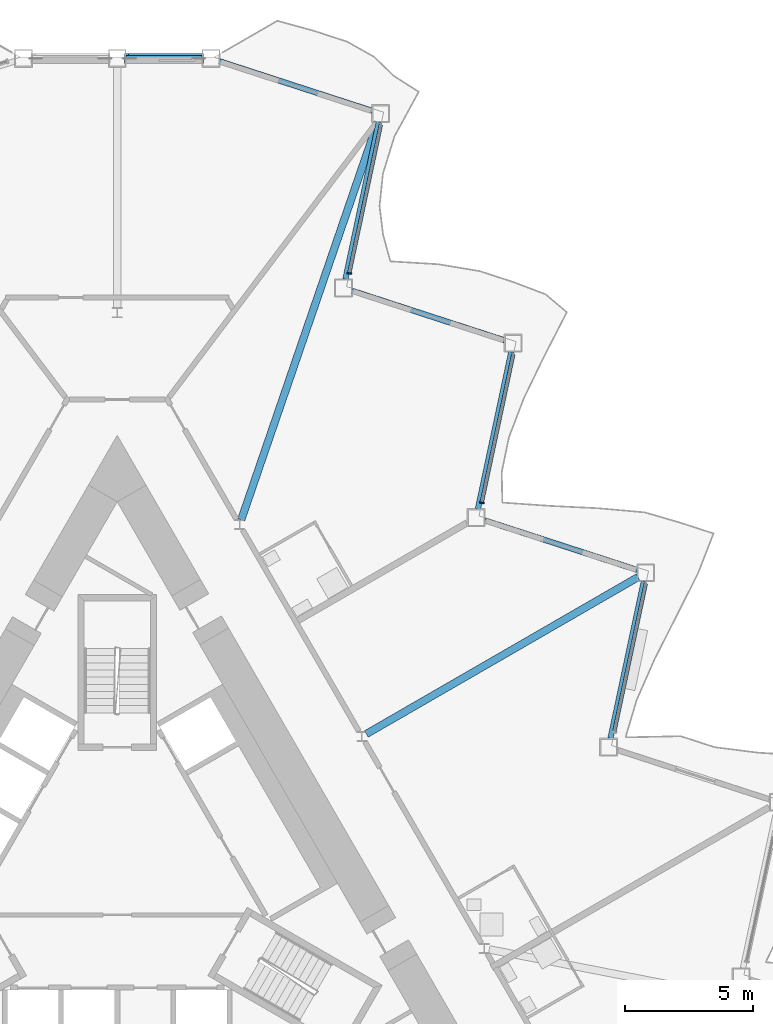
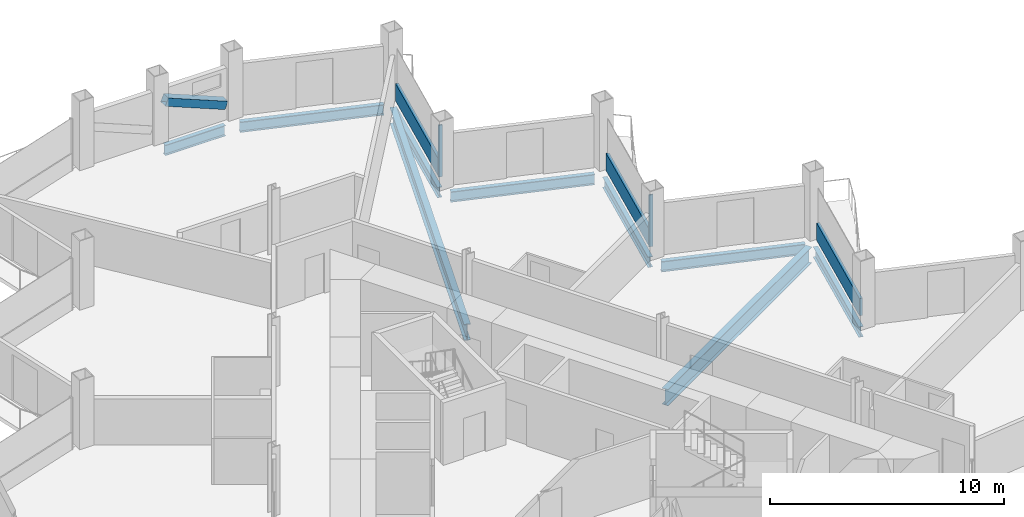
# One storey, part 9 of 24: 9 beams, 6 members, 3 elements without a shape of their own.
"""IFC4 building model written with IfcOpenShell, lengths in metres."""

from ifc_helpers import new_model, si_unit, direction, frame, origin, origin_2d, place, context, subcontext, project, spatial, rectangle, hollow_rectangle, i_section, extrude, material, layer, layer_set, material_profile, profile_set, type_object, element, aggregate, save


model = new_model("IFC4")

# Units and contexts
model_context = context("Model", 3, precision=1e-05, world=origin(), true_north=direction((0.0, 1.0)))
body_context = subcontext(model_context, "Body", "Model", "MODEL_VIEW")
ifc_project = project(units=[si_unit("LENGTHUNIT", "METRE"), si_unit("AREAUNIT", "SQUARE_METRE"), si_unit("VOLUMEUNIT", "CUBIC_METRE"), si_unit("PLANEANGLEUNIT", "RADIAN"), si_unit("MASSUNIT", "GRAM", prefix="KILO")], contexts=[model_context])

# Site, building, storey
site_placement = place(None, origin())
site = spatial("IfcSite", under=ifc_project, at=site_placement, CompositionType="ELEMENT")
building_placement = place(site_placement, origin())
building = spatial("IfcBuilding", under=site, at=building_placement, Name="Cormorant Prow Tower", CompositionType="ELEMENT")
storey_placement = place(building_placement, frame((0.0, 0.0, 270.60009765625)))
storey = spatial("IfcBuildingStorey", under=building, at=storey_placement, Name="L61", CompositionType="ELEMENT", Elevation=270.60009765625)

# Member
ifc_material_1 = material(Name="Structural steel ASTM A500 Gr C", Category="steel")
ifc_material_profile_1 = material_profile(ifc_material_1, hollow_rectangle(XDim=0.406494140625, YDim=0.406494140625, WallThickness=0.01171875, at=origin_2d()), Name="HSS16x16x1/2")
ifc_profile_set_1 = profile_set([ifc_material_profile_1], Name="Structural steel ASTM A500 Gr C")
member_type_1 = type_object("IfcMemberType", Name="Chamfer brace HSS16x16x1/2", PredefinedType="BRACE", material=ifc_profile_set_1)
member_1_placement = place(storey_placement, frame((3.3046875, 32.073486328125, 0.74951171875), z_axis=(-0.925591042089, 0.0, 0.37852506232), x_axis=(0.0, -1.0, 0.0)))
element("IfcMember", 1, at=member_1_placement, inside=storey, type_object=member_type_1, Name="Chamfer brace BR2 at N00 L61", PredefinedType="BRACE", context=body_context, shape_type="SweptSolid", body=[
    extrude(hollow_rectangle(XDim=0.406494140625, YDim=0.406494140625, WallThickness=0.01171875, at=origin_2d()), origin(), (0.0, 0.0, 1.0), 3.17529296875),
])

# Curtain wall, member
ifc_material_2 = material(Name="Aluminium 6063-T6", Category="aluminium")
ifc_layer = layer(ifc_material_2, 0.179931640625)
ifc_layer_set = layer_set([ifc_layer], Name="Aluminium 6063-T6")
curtain_wall_type = type_object("IfcCurtainWallType", Name="Hotel unitised curtain wall 180", PredefinedType="NOTDEFINED", material=ifc_layer_set)
curtain_wall_1_placement = place(storey_placement, origin())
curtain_wall_1 = element("IfcCurtainWall", 2, at=curtain_wall_1_placement, inside=storey, type_object=curtain_wall_type, Name="Hotel curtain wall ENE06", PredefinedType="NOTDEFINED")
ifc_material_3 = material(Name="Aluminium 6063-T6", Category="aluminium")
ifc_material_profile_2 = material_profile(ifc_material_3, rectangle(XDim=0.179931640625, YDim=0.06005859375, at=origin_2d()), Name="Hotel mullion 60x180")
ifc_profile_set_2 = profile_set([ifc_material_profile_2], Name="Aluminium 6063-T6")
member_type_2 = type_object("IfcMemberType", Name="Hotel mullion 60x180", PredefinedType="MULLION", material=ifc_profile_set_2)
member_2_placement = place(storey_placement, frame((14.2724609375, 14.68310546875, 0.0), z_axis=(0.0, 0.0, 1.0), x_axis=(-0.978147603757, 0.207911676597, 0.0)))
member_2 = element("IfcMember", 3, at=member_2_placement, type_object=member_type_2, Name="Hotel mullion ENE06", PredefinedType="MULLION", context=body_context, shape_type="SweptSolid", body=[
    extrude(rectangle(XDim=0.179931640625, YDim=0.06005859375, at=origin_2d()), origin(), (0.0, 0.0, 1.0), 2.70068359375),
])

curtain_wall_2_placement = place(storey_placement, origin())
curtain_wall_2 = element("IfcCurtainWall", 4, at=curtain_wall_2_placement, inside=storey, type_object=curtain_wall_type, Name="Hotel curtain wall ENE08", PredefinedType="NOTDEFINED")
member_3_placement = place(storey_placement, frame((9.087158203125, 23.664306640625, 0.0), z_axis=(0.0, 0.0, 1.0), x_axis=(-0.978147597562, 0.207911705739, 0.0)))
member_3 = element("IfcMember", 5, at=member_3_placement, type_object=member_type_2, Name="Hotel mullion ENE08", PredefinedType="MULLION", context=body_context, shape_type="SweptSolid", body=[
    extrude(rectangle(XDim=0.179931640625, YDim=0.06005859375, at=origin_2d()), origin(), (0.0, 0.0, 1.0), 2.70068359375),
])

curtain_wall_3_placement = place(storey_placement, origin())
curtain_wall_3 = element("IfcCurtainWall", 6, at=curtain_wall_3_placement, inside=storey, type_object=curtain_wall_type, Name="Hotel curtain wall ENE04", PredefinedType="NOTDEFINED")
ifc_material_4 = material(Name="Terracotta", Category="masonry")
ifc_material_profile_3 = material_profile(ifc_material_4, rectangle(XDim=0.139892578125, YDim=0.89990234375, at=origin_2d()), Name="Hotel terracotta spandrel rail 140x900")
ifc_profile_set_3 = profile_set([ifc_material_profile_3], Name="Terracotta")
member_type_3 = type_object("IfcMemberType", Name="Hotel terracotta spandrel rail 140x900", PredefinedType="USERDEFINED", material=ifc_profile_set_3)
member_4_placement = place(storey_placement, frame((19.4638671875, 5.7314453125, 0.449951171875), z_axis=(0.207888372535, 0.978152556897, 0.0), x_axis=(-0.978152556897, 0.207888372535, 0.0)))
member_4 = element("IfcMember", 7, at=member_4_placement, type_object=member_type_3, Name="Hotel spandrel rail ENE04", ObjectType="TRANSOM", PredefinedType="USERDEFINED", context=body_context, shape_type="SweptSolid", body=[
    extrude(rectangle(XDim=0.139892578125, YDim=0.89990234375, at=origin_2d()), origin(), (0.0, 0.0, 1.0), 5.915283203125),
])
aggregate(curtain_wall_3, [member_4])

# Member
member_5_placement = place(storey_placement, frame((14.278564453125, 14.712646484375, 0.449951171875), z_axis=(0.207936254953, 0.978142379143, 0.0), x_axis=(-0.978142379143, 0.207936254953, 0.0)))
member_5 = element("IfcMember", 8, at=member_5_placement, type_object=member_type_3, Name="Hotel spandrel rail ENE06", ObjectType="TRANSOM", PredefinedType="USERDEFINED", context=body_context, shape_type="SweptSolid", body=[
    extrude(rectangle(XDim=0.139892578125, YDim=0.89990234375, at=origin_2d()), origin(), (0.0, 0.0, 1.0), 5.915283203125),
])

aggregate(curtain_wall_1, [member_2, member_5])

member_6_placement = place(storey_placement, frame((9.093505859375, 23.693603515625, 0.449951171875), z_axis=(0.207888372535, 0.978152556897, 0.0), x_axis=(-0.978152556897, 0.207888372535, 0.0)))
member_6 = element("IfcMember", 9, at=member_6_placement, type_object=member_type_3, Name="Hotel spandrel rail ENE08", ObjectType="TRANSOM", PredefinedType="USERDEFINED", context=body_context, shape_type="SweptSolid", body=[
    extrude(rectangle(XDim=0.139892578125, YDim=0.89990234375, at=origin_2d()), origin(), (0.0, 0.0, 1.0), 5.915283203125),
])

aggregate(curtain_wall_2, [member_3, member_6])

# Beams
ifc_material_5 = material(Name="Structural steel ASTM A992 Gr 50", Category="steel")
ifc_material_profile_4 = material_profile(ifc_material_5, i_section(OverallWidth=0.29296875, OverallDepth=0.845703125, WebThickness=0.015380859375, FlangeThickness=0.0244140625, at=origin_2d()), Name="W33x141")
ifc_profile_set_4 = profile_set([ifc_material_profile_4], Name="Structural steel ASTM A992 Gr 50")
beam_type_1 = type_object("IfcBeamType", Name="Radial floor beam W33x141", PredefinedType="BEAM", material=ifc_profile_set_4)
beam_1_placement = place(storey_placement, frame((9.751220703125, 5.6298828125, -0.77294921875), z_axis=(0.866021995826, 0.500005902711, 0.0), x_axis=(-0.500005902711, 0.866021995826, 0.0)))
element("IfcBeam", 10, at=beam_1_placement, inside=storey, type_object=beam_type_1, Name="Radial floor beam FB2 11 L61", PredefinedType="BEAM", context=body_context, shape_type="SweptSolid", body=[
    extrude(i_section(OverallWidth=0.29296875, OverallDepth=0.845703125, WebThickness=0.015380859375, FlangeThickness=0.0244140625, at=origin_2d()), origin(), (0.0, 0.0, 1.0), 12.277099609375),
])
beam_2_placement = place(storey_placement, frame((4.85400390625, 14.013916015625, -0.77294921875), z_axis=(0.324535507117, 0.945873514071, 0.0), x_axis=(-0.945873514071, 0.324535507117, 0.0)))
element("IfcBeam", 11, at=beam_2_placement, inside=storey, type_object=beam_type_1, Name="Radial floor beam FB2 12 L61", PredefinedType="BEAM", context=body_context, shape_type="SweptSolid", body=[
    extrude(i_section(OverallWidth=0.29296875, OverallDepth=0.845703125, WebThickness=0.015380859375, FlangeThickness=0.0244140625, at=origin_2d()), origin(), (0.0, 0.0, 1.0), 16.462158203125),
])
ifc_material_6 = material(Name="Structural steel ASTM A992 Gr 50", Category="steel")
ifc_material_profile_5 = material_profile(ifc_material_6, i_section(OverallWidth=0.2138671875, OverallDepth=0.549072265625, WebThickness=0.0146484375, FlangeThickness=0.023681640625, at=origin_2d()), Name="W21x93")
ifc_profile_set_5 = profile_set([ifc_material_profile_5], Name="Structural steel ASTM A992 Gr 50")
beam_type_2 = type_object("IfcBeamType", Name="Spandrel beam W21x93", PredefinedType="SPANDREL", material=ifc_profile_set_5)
beam_3_placement = place(storey_placement, frame((19.307861328125, 5.456787109375, -0.624755859375), z_axis=(0.207933593793, 0.978142944856, 0.0), x_axis=(-0.978142944856, 0.207933593793, 0.0)))
element("IfcBeam", 12, at=beam_3_placement, inside=storey, type_object=beam_type_2, Name="Spandrel beam SB2 ENE04-ENE05 L61", PredefinedType="SPANDREL", context=body_context, shape_type="SweptSolid", body=[
    extrude(i_section(OverallWidth=0.2138671875, OverallDepth=0.549072265625, WebThickness=0.0146484375, FlangeThickness=0.023681640625, at=origin_2d()), origin(), (0.0, 0.0, 1.0), 6.281494140625),
])
beam_4_placement = place(storey_placement, frame((20.353759765625, 12.051513671875, -0.624755859375), z_axis=(-0.951050348284, 0.309035976918, 0.0), x_axis=(-0.309035976918, -0.951050348284, 0.0)))
element("IfcBeam", 13, at=beam_4_placement, inside=storey, type_object=beam_type_2, Name="Spandrel beam SB2 ENE05-ENE06 L61", PredefinedType="SPANDREL", context=body_context, shape_type="SweptSolid", body=[
    extrude(i_section(OverallWidth=0.2138671875, OverallDepth=0.549072265625, WebThickness=0.0146484375, FlangeThickness=0.023681640625, at=origin_2d()), origin(), (0.0, 0.0, 1.0), 6.28125),
])
beam_5_placement = place(storey_placement, frame((14.11962890625, 14.443115234375, -0.624755859375), z_axis=(0.207933593793, 0.978142944856, 0.0), x_axis=(-0.978142944856, 0.207933593793, 0.0)))
element("IfcBeam", 14, at=beam_5_placement, inside=storey, type_object=beam_type_2, Name="Spandrel beam SB2 ENE06-ENE07 L61", PredefinedType="SPANDREL", context=body_context, shape_type="SweptSolid", body=[
    extrude(i_section(OverallWidth=0.2138671875, OverallDepth=0.549072265625, WebThickness=0.0146484375, FlangeThickness=0.023681640625, at=origin_2d()), origin(), (0.0, 0.0, 1.0), 6.281494140625),
])
beam_6_placement = place(storey_placement, frame((15.16552734375, 21.037841796875, -0.624755859375), z_axis=(-0.951050348284, 0.309035976918, 0.0), x_axis=(-0.309035976918, -0.951050348284, 0.0)))
element("IfcBeam", 15, at=beam_6_placement, inside=storey, type_object=beam_type_2, Name="Spandrel beam SB2 ENE07-ENE08 L61", PredefinedType="SPANDREL", context=body_context, shape_type="SweptSolid", body=[
    extrude(i_section(OverallWidth=0.2138671875, OverallDepth=0.549072265625, WebThickness=0.0146484375, FlangeThickness=0.023681640625, at=origin_2d()), origin(), (0.0, 0.0, 1.0), 6.28125),
])
for number, where, z_axis, x_axis, name in (
    (16, (8.931396484375, 23.429443359375, -0.624755859375), (0.207896407679, 0.97815084914, 0.0), (-0.97815084914, 0.207896407679, 0.0), "Spandrel beam SB2 ENE08-ENE09 L61"),
    (17, (9.977294921875, 30.024169921875, -0.624755859375), (-0.951054060056, 0.309024553801, 0.0), (-0.309024553801, -0.951054060056, 0.0), "Spandrel beam SB2 ENE09-N00 L61"),
):
    element("IfcBeam", number, at=place(storey_placement, frame(where, z_axis=z_axis, x_axis=x_axis)), inside=storey, type_object=beam_type_2, Name=name, PredefinedType="SPANDREL", context=body_context, shape_type="SweptSolid", body=[
        extrude(i_section(OverallWidth=0.2138671875, OverallDepth=0.549072265625, WebThickness=0.0146484375, FlangeThickness=0.023681640625, at=origin_2d()), origin(), (0.0, 0.0, 1.0), 6.281494140625),
    ])
beam_7_placement = place(storey_placement, frame((3.3203125, 32.073486328125, -0.624755859375), z_axis=(-1.0, 0.0, 0.0), x_axis=(0.0, -1.0, 0.0)))
element("IfcBeam", 18, at=beam_7_placement, inside=storey, type_object=beam_type_2, Name="Spandrel beam SB2 N00-N01 L61", PredefinedType="SPANDREL", context=body_context, shape_type="SweptSolid", body=[
    extrude(i_section(OverallWidth=0.2138671875, OverallDepth=0.549072265625, WebThickness=0.0146484375, FlangeThickness=0.023681640625, at=origin_2d()), origin(), (0.0, 0.0, 1.0), 2.97021484375),
])

save(model, "model.ifc")
